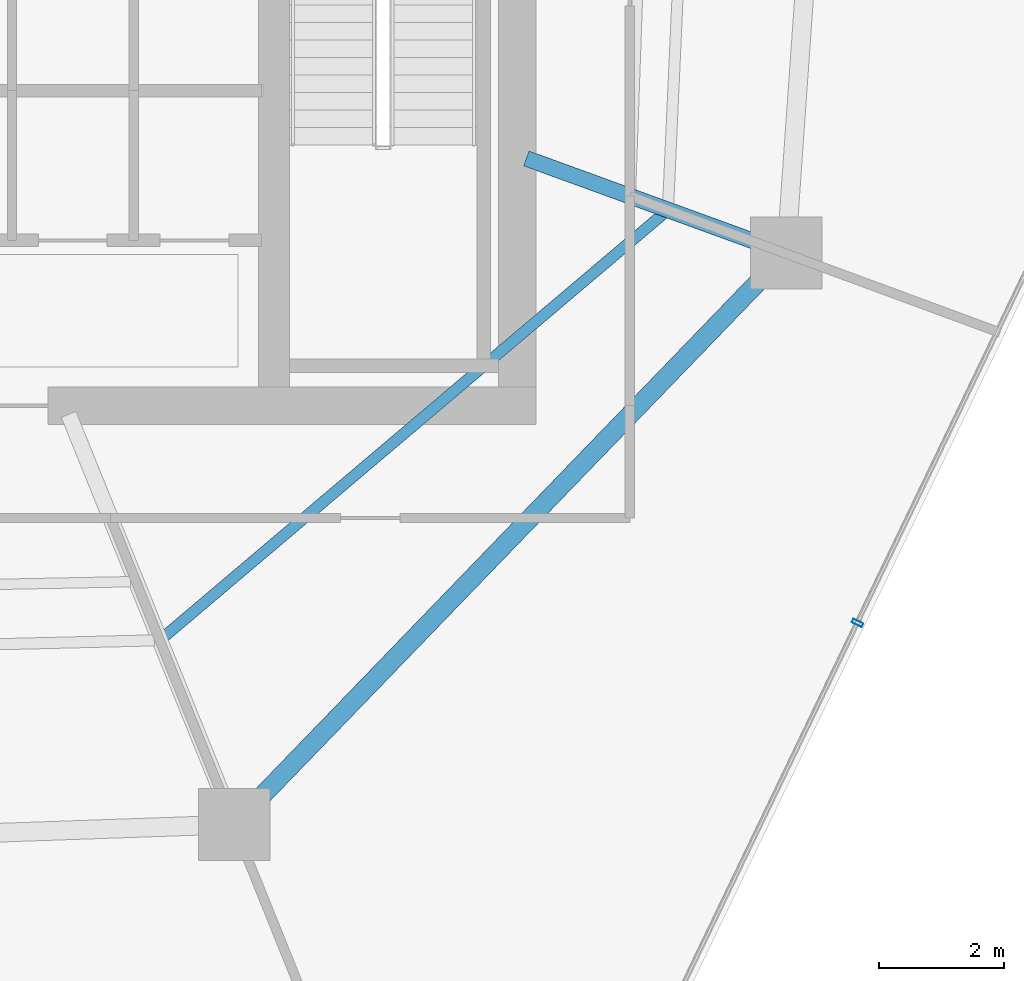
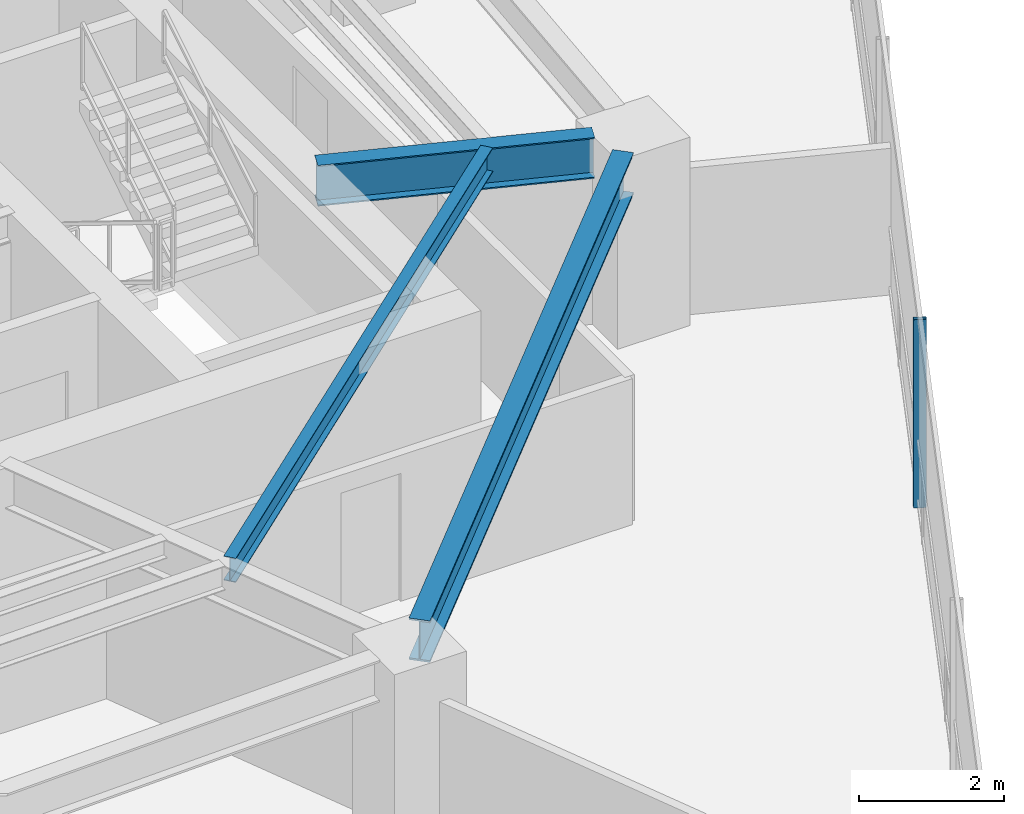
# One storey, part 11 of 30: 3 beams, 1 member, 1 element without a shape of its own.
"""IFC4 building model written with IfcOpenShell, lengths in metres."""

from ifc_helpers import new_model, si_unit, direction, frame, origin, origin_2d, place, context, subcontext, project, spatial, hollow_rectangle, i_section, extrude, material, layer, layer_set, material_profile, profile_set, type_object, element, aggregate, save


model = new_model("IFC4")

# Units and contexts
model_context = context("Model", 3, precision=1e-05, world=origin(), true_north=direction((0.0, 1.0)))
body_context = subcontext(model_context, "Body", "Model", "MODEL_VIEW")
ifc_project = project(units=[si_unit("LENGTHUNIT", "METRE"), si_unit("AREAUNIT", "SQUARE_METRE"), si_unit("VOLUMEUNIT", "CUBIC_METRE"), si_unit("PLANEANGLEUNIT", "RADIAN"), si_unit("MASSUNIT", "GRAM", prefix="KILO")], contexts=[model_context])

# Site, building, storey
site_placement = place(None, origin())
site = spatial("IfcSite", under=ifc_project, at=site_placement, CompositionType="ELEMENT")
building_placement = place(site_placement, origin())
building = spatial("IfcBuilding", under=site, at=building_placement, Name="Qarnah Convention Tower", CompositionType="ELEMENT")
storey_placement = place(building_placement, frame((0.0, 0.0, 83.25)))
storey = spatial("IfcBuildingStorey", under=building, at=storey_placement, Name="L21", CompositionType="ELEMENT", Elevation=83.25)

# Beams
ifc_material_1 = material(Name="Structural steel S355JR", Category="steel")
ifc_material_profile_1 = material_profile(ifc_material_1, i_section(OverallWidth=0.177978515625, OverallDepth=0.407958984375, WebThickness=0.008056640625, FlangeThickness=0.012939453125, at=origin_2d()), Name="W410X60")
ifc_profile_set_1 = profile_set([ifc_material_profile_1], Name="Structural steel S355JR")
beam_type_1 = type_object("IfcBeamType", Name="BM-JST-W410", PredefinedType="JOIST", material=ifc_profile_set_1)
beam_1_placement = place(storey_placement, frame((41.93896484375, 14.89990234375, 2.966064453125), z_axis=(0.763086867081, 0.646295933214, 0.0), x_axis=(-0.646295933214, 0.763086867081, 0.0)))
element("IfcBeam", 1, at=beam_1_placement, inside=storey, type_object=beam_type_1, Name="L21 joist BM-L21-SJST-08", PredefinedType="JOIST", context=body_context, shape_type="SweptSolid", body=[
    extrude(i_section(OverallWidth=0.177978515625, OverallDepth=0.407958984375, WebThickness=0.008056640625, FlangeThickness=0.012939453125, at=origin_2d()), origin(), (0.0, 0.0, 1.0), 10.487548828125),
])
ifc_material_profile_2 = material_profile(ifc_material_1, i_section(OverallWidth=0.25390625, OverallDepth=0.68798828125, WebThickness=0.012939453125, FlangeThickness=0.02099609375, at=origin_2d()), Name="W690X152")
ifc_profile_set_2 = profile_set([ifc_material_profile_2], Name="Structural steel S355JR")
beam_type_2 = type_object("IfcBeamType", Name="BM-RAD-W690", PredefinedType="BEAM", material=ifc_profile_set_2)
beam_2_placement = place(storey_placement, frame((47.740966796875, 22.56298828125, 2.825927734375), z_axis=(0.93969593668, -0.342011032845, 0.0), x_axis=(0.342011032845, 0.93969593668, 0.0)))
element("IfcBeam", 2, at=beam_2_placement, inside=storey, type_object=beam_type_2, Name="L21 beam BM-L21-RAD-09", PredefinedType="BEAM", context=body_context, shape_type="SweptSolid", body=[
    extrude(i_section(OverallWidth=0.25390625, OverallDepth=0.68798828125, WebThickness=0.012939453125, FlangeThickness=0.02099609375, at=origin_2d()), origin(), (0.0, 0.0, 1.0), 3.876953125),
])
ifc_material_profile_3 = material_profile(ifc_material_1, i_section(OverallWidth=0.300048828125, OverallDepth=0.699951171875, WebThickness=0.01708984375, FlangeThickness=0.031982421875, at=origin_2d()), Name="HEB700")
ifc_profile_set_3 = profile_set([ifc_material_profile_3], Name="Structural steel S355JR")
beam_type_3 = type_object("IfcBeamType", Name="BM-RING-HEB700", PredefinedType="BEAM", material=ifc_profile_set_3)
beam_3_placement = place(storey_placement, frame((43.455078125, 12.2958984375, 2.820068359375), z_axis=(0.694656478954, 0.719341626939, 0.0), x_axis=(-0.719341626939, 0.694656478954, 0.0)))
element("IfcBeam", 3, at=beam_3_placement, inside=storey, type_object=beam_type_3, Name="L21 beam BM-L21-SPN-08", PredefinedType="BEAM", context=body_context, shape_type="SweptSolid", body=[
    extrude(i_section(OverallWidth=0.300048828125, OverallDepth=0.699951171875, WebThickness=0.01708984375, FlangeThickness=0.031982421875, at=origin_2d()), origin(), (0.0, 0.0, 1.0), 11.60107421875),
])

# Curtain wall, member
ifc_material_2 = material(Name="Tempered Low-E dark glass", Category="glass")
ifc_layer = layer(ifc_material_2, 0.169921875)
ifc_layer_set = layer_set([ifc_layer], Name="Tempered Low-E dark glass")
curtain_wall_type = type_object("IfcCurtainWallType", Name="CWS-02", PredefinedType="NOTDEFINED", material=ifc_layer_set)
curtain_wall_placement = place(storey_placement, origin())
curtain_wall = element("IfcCurtainWall", 4, at=curtain_wall_placement, inside=storey, type_object=curtain_wall_type, Name="L21 unitised curtain wall CW-L21-F1", PredefinedType="NOTDEFINED")
ifc_material_3 = material(Name="Black anodised aluminium", Category="aluminium")
ifc_material_profile_4 = material_profile(ifc_material_3, hollow_rectangle(XDim=0.06494140625, YDim=0.179931640625, WallThickness=0.00390625, at=origin_2d()), Name="MUL-65X180")
ifc_profile_set_4 = profile_set([ifc_material_profile_4], Name="Black anodised aluminium")
member_type = type_object("IfcMemberType", Name="MUL-T2", PredefinedType="MULLION", material=ifc_profile_set_4)
member_placement = place(storey_placement, frame((53.04833984375, 15.118896484375, 0.0), z_axis=(0.0, 0.0, 1.0), x_axis=(-0.433332348361, -0.901234195903, 0.0)))
member = element("IfcMember", 5, at=member_placement, type_object=member_type, Name="CW-L21-F1 mullion 4", PredefinedType="MULLION", context=body_context, shape_type="SweptSolid", body=[
    extrude(hollow_rectangle(XDim=0.06494140625, YDim=0.179931640625, WallThickness=0.00390625, at=origin_2d()), origin(), (0.0, 0.0, 1.0), 3.169921875),
])
aggregate(curtain_wall, [member])

save(model, "model.ifc")
